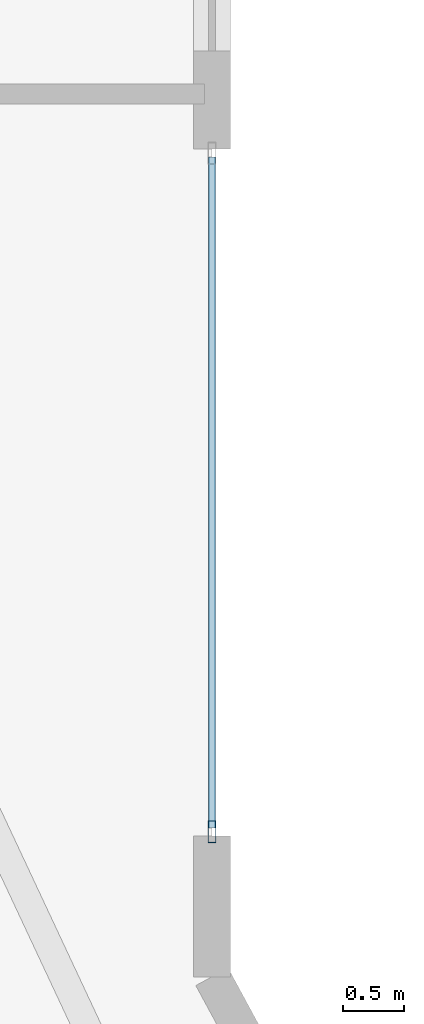
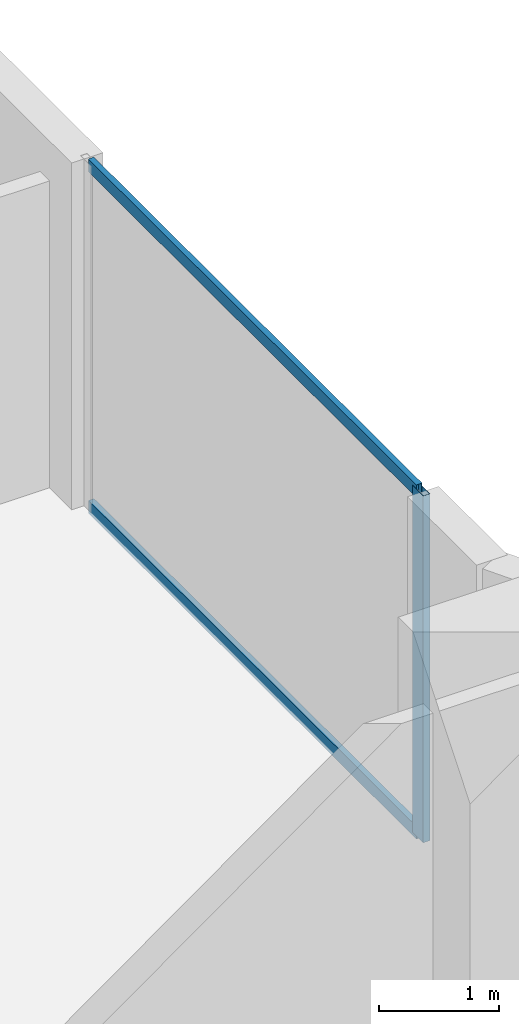
# One storey, part 14 of 32: 3 members, 1 element without a shape of its own.
"""IFC4 building model written with IfcOpenShell, lengths in metres."""

from ifc_helpers import new_model, si_unit, direction, frame, origin, origin_2d, place, context, subcontext, project, spatial, hollow_rectangle, extrude, material, layer, layer_set, material_profile, profile_set, type_object, element, aggregate, save


model = new_model("IFC4")

# Units and contexts
model_context = context("Model", 3, precision=1e-05, world=origin(), true_north=direction((0.0, 1.0)))
body_context = subcontext(model_context, "Body", "Model", "MODEL_VIEW")
ifc_project = project(units=[si_unit("LENGTHUNIT", "METRE"), si_unit("AREAUNIT", "SQUARE_METRE"), si_unit("VOLUMEUNIT", "CUBIC_METRE"), si_unit("PLANEANGLEUNIT", "RADIAN"), si_unit("MASSUNIT", "GRAM", prefix="KILO")], contexts=[model_context])

# Site, building, storey
site_placement = place(None, origin())
site = spatial("IfcSite", under=ifc_project, at=site_placement, CompositionType="ELEMENT")
building_placement = place(site_placement, origin())
building = spatial("IfcBuilding", under=site, at=building_placement, Name="Zuhayl Quay Hotel", CompositionType="ELEMENT")
storey_placement = place(building_placement, frame((0.0, 0.0, 177.39990234375)))
storey = spatial("IfcBuildingStorey", under=building, at=storey_placement, Name="L44", CompositionType="ELEMENT", Elevation=177.39990234375)

# Curtain wall, members
ifc_material_1 = material(Name="Anodised Aluminium 6063-T6", Category="aluminium")
ifc_layer = layer(ifc_material_1, 0.175048828125, Name="Anodised Aluminium 6063-T6", Category="aluminium")
ifc_layer_set = layer_set([ifc_layer], Name="Anodised Aluminium 6063-T6")
curtain_wall_type = type_object("IfcCurtainWallType", Name="CW_SYS_Z3", PredefinedType="USERDEFINED", material=ifc_layer_set)
curtain_wall_placement = place(storey_placement, origin())
curtain_wall = element("IfcCurtainWall", 1, at=curtain_wall_placement, inside=storey, type_object=curtain_wall_type, Name="L44 Curtain Wall ENV_L44_E11_CW1", ObjectType="UNITISED CURTAIN WALL", PredefinedType="USERDEFINED")
ifc_material_2 = material(Name="Black-anodised aluminium 6063-T6", Category="aluminium")
ifc_material_profile_1 = material_profile(ifc_material_2, hollow_rectangle(XDim=0.06494140625, YDim=0.179931640625, WallThickness=0.00341796875, at=origin_2d()), Name="ALU180X65")
ifc_profile_set_1 = profile_set([ifc_material_profile_1], Name="Black-anodised aluminium 6063-T6")
member_type_1 = type_object("IfcMemberType", Name="MB_CW_MUL_180", PredefinedType="MULLION", material=ifc_profile_set_1)
member_1_placement = place(storey_placement, frame((22.10009765625, 18.982421875, 0.0), z_axis=(0.0, 0.0, 1.0), x_axis=(1.0, 0.0, 0.0)))
member_1 = element("IfcMember", 2, at=member_1_placement, type_object=member_type_1, Name="CW-Z3 mullion 2", PredefinedType="MULLION", context=body_context, shape_type="SweptSolid", body=[
    extrude(hollow_rectangle(XDim=0.06494140625, YDim=0.179931640625, WallThickness=0.00341796875, at=origin_2d()), origin(), (0.0, 0.0, 1.0), 3.530029296875),
])
ifc_material_profile_2 = material_profile(ifc_material_2, hollow_rectangle(XDim=0.054931640625, YDim=0.1298828125, WallThickness=0.0029296875, at=origin_2d()), Name="ALU130X55")
ifc_profile_set_2 = profile_set([ifc_material_profile_2], Name="Black-anodised aluminium 6063-T6")
member_type_2 = type_object("IfcMemberType", Name="MB_CW_TRN_130", PredefinedType="USERDEFINED", material=ifc_profile_set_2)
member_2_placement = place(storey_placement, frame((22.10009765625, 24.485107421875, 0.027587890625), z_axis=(0.0, -1.0, 0.0), x_axis=(1.0, 0.0, 0.0)))
member_2 = element("IfcMember", 3, at=member_2_placement, type_object=member_type_2, Name="CW-Z3 transom 1.1", ObjectType="TRANSOM", PredefinedType="USERDEFINED", context=body_context, shape_type="SweptSolid", body=[
    extrude(hollow_rectangle(XDim=0.054931640625, YDim=0.1298828125, WallThickness=0.0029296875, at=origin_2d()), origin(), (0.0, 0.0, 1.0), 5.47021484375),
])
member_3_placement = place(storey_placement, frame((22.10009765625, 24.485107421875, 3.502685546875), z_axis=(0.0, -1.0, 0.0), x_axis=(1.0, 0.0, 0.0)))
member_3 = element("IfcMember", 4, at=member_3_placement, type_object=member_type_2, Name="CW-Z3 transom 1.2", ObjectType="TRANSOM", PredefinedType="USERDEFINED", context=body_context, shape_type="SweptSolid", body=[
    extrude(hollow_rectangle(XDim=0.054931640625, YDim=0.1298828125, WallThickness=0.0029296875, at=origin_2d()), origin(), (0.0, 0.0, 1.0), 5.47021484375),
])
aggregate(curtain_wall, [member_1, member_2, member_3])

save(model, "model.ifc")
